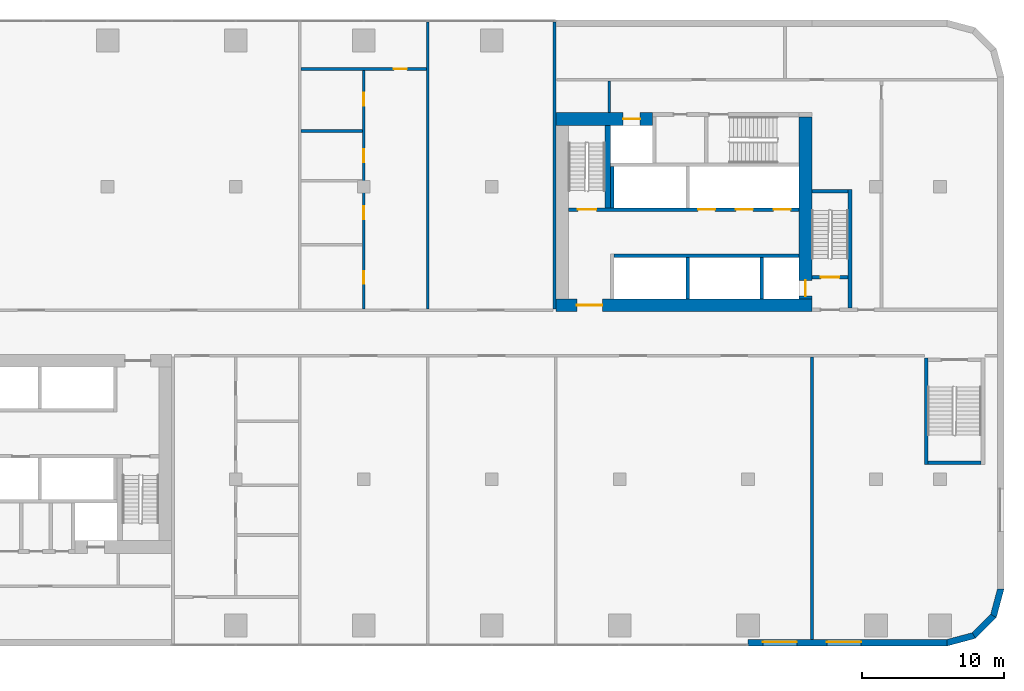
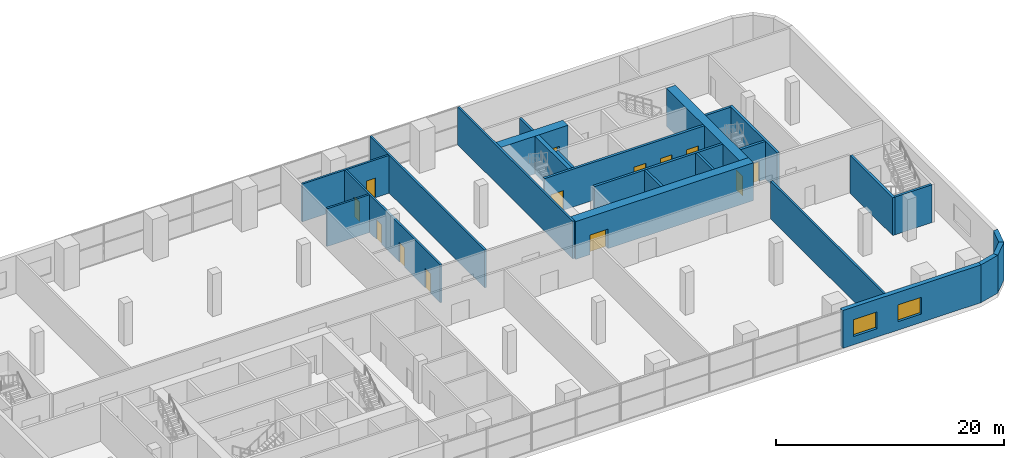
# One storey, part 10 of 19: 25 walls, 13 doors, 2 windows, 15 openings.
"""IFC4 building model written with IfcOpenShell, lengths in metres."""

from ifc_helpers import new_model, si_unit, direction, frame, frame_2d, origin, place, context, subcontext, project, spatial, polyline, rectangle, outline, extrude, material, layer, layer_set, type_object, element, fill, save


model = new_model("IFC4")

# Units and contexts
model_context = context("Model", 3, precision=1e-05, world=origin(), true_north=direction((0.0, 1.0)))
body_context = subcontext(model_context, "Body", "Model", "MODEL_VIEW")
ifc_project = project(units=[si_unit("LENGTHUNIT", "METRE"), si_unit("AREAUNIT", "SQUARE_METRE"), si_unit("VOLUMEUNIT", "CUBIC_METRE"), si_unit("PLANEANGLEUNIT", "RADIAN"), si_unit("MASSUNIT", "GRAM", prefix="KILO")], contexts=[model_context])

# Site, building, storey
site_placement = place(None, origin())
site = spatial("IfcSite", under=ifc_project, at=site_placement, CompositionType="ELEMENT")
building_placement = place(site_placement, origin())
building = spatial("IfcBuilding", under=site, at=building_placement, Name="Kajstack Hotel Tower", CompositionType="ELEMENT")
storey_placement = place(building_placement, frame((0.0, 0.0, 33.5)))
storey = spatial("IfcBuildingStorey", under=building, at=storey_placement, Name="L05", CompositionType="ELEMENT", Elevation=33.5)

# Wall, opening, door
ifc_material_1 = material(Name="Concrete C60/75", Category="concrete")
ifc_layer_1 = layer(ifc_material_1, 0.89990234375)
ifc_layer_set_1 = layer_set([ifc_layer_1], Name="Core wall 900")
wall_type_1 = type_object("IfcWallType", Name="Core wall 900", PredefinedType="SHEAR", material=ifc_layer_set_1)
wall_1_placement = place(storey_placement, frame((13.5, 1.949951171875, 0.0), z_axis=(0.0, 0.0, 1.0), x_axis=(1.0, 0.0, 0.0)))
wall_1 = element("IfcWall", 1, at=wall_1_placement, inside=storey, type_object=wall_type_1, Name="Core wall E RN", PredefinedType="SHEAR", context=body_context, shape_type="SweptSolid", body=[
    extrude(rectangle(XDim=18.0, YDim=0.89990234375, at=frame_2d((9.0, 0.0))), origin(), (0.0, 0.0, 1.0), 4.050048828125),
])
opening_1_placement = place(wall_1_placement, frame((1.47509765625, 0.0, 0.0)))
opening_1 = element("IfcOpeningElement", 2, at=opening_1_placement, cuts=wall_1, Name="Opening 05E06", PredefinedType="OPENING", context=body_context, shape_type="SweptSolid", body=[
    extrude(rectangle(XDim=1.800048828125, YDim=2.10009765625, at=frame_2d((0.89990234375, 1.050048828125))), frame((0.0, 0.4599609375, 0.0), z_axis=(0.0, -1.0, 0.0), x_axis=(1.0, 0.0, 0.0)), (0.0, 0.0, 1.0), 0.919921875),
])
ifc_material_2 = material(Name="Glazed steel frame, fire-rated glass", Category="steel")
door_type_1 = type_object("IfcDoorType", Name="Lobby double door 1800", OperationType="DOUBLE_DOOR_DOUBLE_SWING", PredefinedType="DOOR", material=ifc_material_2)
door_1_placement = place(opening_1_placement, origin())
door_1 = element("IfcDoor", 3, at=door_1_placement, inside=storey, type_object=door_type_1, Name="Door 05E06", OperationType="DOUBLE_DOOR_DOUBLE_SWING", OverallHeight=2.10009765625, OverallWidth=1.800048828125, PredefinedType="DOOR", context=body_context, shape_type="SweptSolid", body=[
    extrude(rectangle(XDim=1.800048828125, YDim=2.10009765625, at=frame_2d((0.89990234375, 1.050048828125))), frame((0.0, 0.02490234375, 0.0), z_axis=(0.0, -1.0, 0.0), x_axis=(1.0, 0.0, 0.0)), (0.0, 0.0, 1.0), 0.050048828125),
])
fill(opening_1, door_1)

wall_2_placement = place(storey_placement, frame((13.5, 15.050048828125, 0.0), z_axis=(0.0, 0.0, 1.0), x_axis=(1.0, 0.0, 0.0)))
wall_2 = element("IfcWall", 4, at=wall_2_placement, inside=storey, type_object=wall_type_1, Name="Core wall E RS", PredefinedType="SHEAR", context=body_context, shape_type="SweptSolid", body=[
    extrude(rectangle(XDim=6.800048828125, YDim=0.89990234375, at=frame_2d((3.39990234375, 0.0))), origin(), (0.0, 0.0, 1.0), 4.050048828125),
])
opening_2_placement = place(wall_2_placement, frame((4.72509765625, 0.0, 0.0)))
opening_2 = element("IfcOpeningElement", 5, at=opening_2_placement, cuts=wall_2, Name="Opening LD-SV2", PredefinedType="OPENING", context=body_context, shape_type="SweptSolid", body=[
    extrude(rectangle(XDim=1.199951171875, YDim=2.10009765625, at=frame_2d((0.60009765625, 1.050048828125))), frame((0.0, 0.4599609375, 0.0), z_axis=(0.0, -1.0, 0.0), x_axis=(1.0, 0.0, 0.0)), (0.0, 0.0, 1.0), 0.919921875),
])
ifc_material_3 = material(Name="Stainless steel", Category="steel")
door_type_2 = type_object("IfcDoorType", Name="Lift landing door 1200", OperationType="SLIDING_TO_LEFT", PredefinedType="DOOR", material=ifc_material_3)
door_2_placement = place(opening_2_placement, origin())
door_2 = element("IfcDoor", 6, at=door_2_placement, inside=storey, type_object=door_type_2, Name="Landing door SV2", OperationType="SLIDING_TO_LEFT", OverallHeight=2.10009765625, OverallWidth=1.199951171875, PredefinedType="DOOR", context=body_context, shape_type="SweptSolid", body=[
    extrude(rectangle(XDim=1.199951171875, YDim=2.10009765625, at=frame_2d((0.60009765625, 1.050048828125))), frame((0.0, 0.02490234375, 0.0), z_axis=(0.0, -1.0, 0.0), x_axis=(1.0, 0.0, 0.0)), (0.0, 0.0, 1.0), 0.050048828125),
])
fill(opening_2, door_2)

wall_3_placement = place(storey_placement, frame((31.050048828125, 2.39990234375, 0.0), z_axis=(0.0, 0.0, 1.0), x_axis=(0.0, 1.0, 0.0)))
wall_3 = element("IfcWall", 7, at=wall_3_placement, inside=storey, type_object=wall_type_1, Name="Core wall E RW", PredefinedType="SHEAR", context=body_context, shape_type="SweptSolid", body=[
    extrude(rectangle(XDim=12.800048828125, YDim=0.89990234375, at=frame_2d((6.39990234375, 0.0))), origin(), (0.0, 0.0, 1.0), 4.050048828125),
])
opening_3_placement = place(wall_3_placement, frame((0.199951171875, 0.0, 0.0)))
opening_3 = element("IfcOpeningElement", 8, at=opening_3_placement, cuts=wall_3, Name="Opening LD-FF2", PredefinedType="OPENING", context=body_context, shape_type="SweptSolid", body=[
    extrude(rectangle(XDim=1.10009765625, YDim=2.10009765625, at=frame_2d((0.550048828125, 1.050048828125))), frame((0.0, 0.4599609375, 0.0), z_axis=(0.0, -1.0, 0.0), x_axis=(1.0, 0.0, 0.0)), (0.0, 0.0, 1.0), 0.919921875),
])
door_type_3 = type_object("IfcDoorType", Name="Fire-fighting lift landing door 1100", OperationType="SLIDING_TO_LEFT", PredefinedType="DOOR", material=ifc_material_3)
door_3_placement = place(opening_3_placement, origin())
door_3 = element("IfcDoor", 9, at=door_3_placement, inside=storey, type_object=door_type_3, Name="Landing door FF2", OperationType="SLIDING_TO_LEFT", OverallHeight=2.10009765625, OverallWidth=1.10009765625, PredefinedType="DOOR", context=body_context, shape_type="SweptSolid", body=[
    extrude(rectangle(XDim=1.10009765625, YDim=2.10009765625, at=frame_2d((0.550048828125, 1.050048828125))), frame((0.0, 0.02490234375, 0.0), z_axis=(0.0, -1.0, 0.0), x_axis=(1.0, 0.0, 0.0)), (0.0, 0.0, 1.0), 0.050048828125),
])
fill(opening_3, door_3)

# Wall, openings, windows
ifc_material_4 = material(Name="Terracotta-faced brick masonry", Category="masonry")
ifc_layer_2 = layer(ifc_material_4, 0.449951171875)
ifc_layer_set_2 = layer_set([ifc_layer_2], Name="EW-TERRA")
wall_type_2 = type_object("IfcWallType", Name="EW-TERRA", PredefinedType="SOLIDWALL", material=ifc_layer_set_2)
wall_4_placement = place(storey_placement, frame((27.0, -21.77490234375, 0.0), z_axis=(0.0, 0.0, 1.0), x_axis=(1.0, 0.0, 0.0)))
wall_4 = element("IfcWall", 10, at=wall_4_placement, inside=storey, type_object=wall_type_2, Name="E-wall-L05-03-03", PredefinedType="SOLIDWALL", context=body_context, shape_type="SweptSolid", body=[
    extrude(rectangle(XDim=14.0, YDim=0.449951171875, at=frame_2d((7.0, 0.0))), origin(), (0.0, 0.0, 1.0), 4.050048828125),
])
opening_4_placement = place(wall_4_placement, frame((1.050048828125, 0.0, 0.89990234375)))
opening_4 = element("IfcOpeningElement", 11, at=opening_4_placement, cuts=wall_4, Name="Opening W4", PredefinedType="OPENING", context=body_context, shape_type="SweptSolid", body=[
    extrude(rectangle(XDim=2.39990234375, YDim=1.800048828125, at=frame_2d((1.199951171875, 0.89990234375))), frame((0.0, 0.23486328125, 0.0), z_axis=(0.0, -1.0, 0.0), x_axis=(1.0, 0.0, 0.0)), (0.0, 0.0, 1.0), 0.469970703125),
])
opening_5_placement = place(wall_4_placement, frame((5.550048828125, 0.0, 0.89990234375)))
opening_5 = element("IfcOpeningElement", 12, at=opening_5_placement, cuts=wall_4, Name="Opening W4", PredefinedType="OPENING", context=body_context, shape_type="SweptSolid", body=[
    extrude(rectangle(XDim=2.39990234375, YDim=1.800048828125, at=frame_2d((1.199951171875, 0.89990234375))), frame((0.0, 0.23486328125, 0.0), z_axis=(0.0, -1.0, 0.0), x_axis=(1.0, 0.0, 0.0)), (0.0, 0.0, 1.0), 0.469970703125),
])
ifc_material_5 = material(Name="Timber-aluminium window, triple glazed", Category="wood")
window_type = type_object("IfcWindowType", Name="WP1", PartitioningType="SINGLE_PANEL", PredefinedType="WINDOW", material=ifc_material_5)
window_1_placement = place(opening_4_placement, origin())
window_1 = element("IfcWindow", 13, at=window_1_placement, inside=storey, type_object=window_type, Name="Window W4 L05-03", OverallHeight=1.800048828125, OverallWidth=2.39990234375, PartitioningType="SINGLE_PANEL", PredefinedType="WINDOW", context=body_context, shape_type="SweptSolid", body=[
    extrude(rectangle(XDim=2.39990234375, YDim=1.800048828125, at=frame_2d((1.199951171875, 0.89990234375))), frame((0.0, 0.090087890625, 0.0), z_axis=(0.0, -1.0, 0.0), x_axis=(1.0, 0.0, 0.0)), (0.0, 0.0, 1.0), 0.06005859375),
])
fill(opening_4, window_1)
window_2_placement = place(opening_5_placement, origin())
window_2 = element("IfcWindow", 14, at=window_2_placement, inside=storey, type_object=window_type, Name="Window W4 L05-03", OverallHeight=1.800048828125, OverallWidth=2.39990234375, PartitioningType="SINGLE_PANEL", PredefinedType="WINDOW", context=body_context, shape_type="SweptSolid", body=[
    extrude(rectangle(XDim=2.39990234375, YDim=1.800048828125, at=frame_2d((1.199951171875, 0.89990234375))), frame((0.0, 0.090087890625, 0.0), z_axis=(0.0, -1.0, 0.0), x_axis=(1.0, 0.0, 0.0)), (0.0, 0.0, 1.0), 0.06005859375),
])
fill(opening_5, window_2)

# Walls
wall_5_placement = place(storey_placement, frame((40.941650390625, -21.78271484375, 0.0), z_axis=(0.0, 0.0, 1.0), x_axis=(0.965926999034, 0.25881466832, 0.0)))
element("IfcWall", 15, at=wall_5_placement, inside=storey, type_object=wall_type_2, Name="E-wall-L05-04-00", PredefinedType="SOLIDWALL", context=body_context, shape_type="SweptSolid", body=[
    extrude(outline(polyline([(0.000244140625, -0.22509765625), (2.070556640625, -0.224853515625), (1.9501953125, 0.22509765625), (0.12060546875, 0.22509765625), (0.000244140625, -0.22509765625)])), origin(), (0.0, 0.0, 1.0), 4.050048828125),
])
wall_6_placement = place(storey_placement, frame((42.8408203125, -21.304931640625, 0.0), z_axis=(0.0, 0.0, 1.0), x_axis=(0.707106781187, 0.707106781187, 0.0)))
element("IfcWall", 16, at=wall_6_placement, inside=storey, type_object=wall_type_2, Name="E-wall-L05-05-00", PredefinedType="SOLIDWALL", context=body_context, shape_type="SweptSolid", body=[
    extrude(outline(polyline([(0.0, -0.22509765625), (2.070556640625, -0.22509765625), (1.949951171875, 0.224853515625), (0.12060546875, 0.224853515625), (0.0, -0.22509765625)])), origin(), (0.0, 0.0, 1.0), 4.050048828125),
])
wall_7_placement = place(storey_placement, frame((44.246826171875, -19.941650390625, 0.0), z_axis=(0.0, 0.0, 1.0), x_axis=(0.25881466832, 0.965926999034, 0.0)))
element("IfcWall", 17, at=wall_7_placement, inside=storey, type_object=wall_type_2, Name="E-wall-L05-06-00", PredefinedType="SOLIDWALL", context=body_context, shape_type="SweptSolid", body=[
    extrude(outline(polyline([(-0.000244140625, -0.224853515625), (2.0703125, -0.22509765625), (1.949951171875, 0.22509765625), (0.120361328125, 0.22509765625), (-0.000244140625, -0.224853515625)])), origin(), (0.0, 0.0, 1.0), 4.050048828125),
])
ifc_material_6 = material(Name="Concrete C50/60", Category="concrete")
ifc_layer_3 = layer(ifc_material_6, 0.300048828125)
ifc_layer_set_3 = layer_set([ifc_layer_3], Name="Hoistway divider wall 300")
wall_type_3 = type_object("IfcWallType", Name="Hoistway divider wall 300", PredefinedType="SHEAR", material=ifc_layer_set_3)
wall_8_placement = place(storey_placement, frame((22.77490234375, 2.39990234375, 0.0), z_axis=(0.0, 0.0, 1.0), x_axis=(0.0, 1.0, 0.0)))
element("IfcWall", 18, at=wall_8_placement, inside=storey, type_object=wall_type_3, Name="Core wall E AP2", PredefinedType="SHEAR", context=body_context, shape_type="SweptSolid", body=[
    extrude(rectangle(XDim=2.900146484375, YDim=0.25, at=frame_2d((1.4501953125, 0.0))), origin(), (0.0, 0.0, 1.0), 4.050048828125),
])
ifc_material_7 = material(Name="Gypsum board on steel studs, mineral wool", Category="steel")
ifc_layer_4 = layer(ifc_material_7, 0.199951171875)
ifc_layer_set_4 = layer_set([ifc_layer_4], Name="Public partition 200")
wall_type_4 = type_object("IfcWallType", Name="Public partition 200", PredefinedType="PARTITIONING", material=ifc_layer_set_4)
wall_9_placement = place(storey_placement, frame((4.5, 1.699951171875, 0.0), z_axis=(0.0, 0.0, 1.0), x_axis=(0.0, 1.0, 0.0)))
element("IfcWall", 19, at=wall_9_placement, inside=storey, type_object=wall_type_4, Name="Partition PX0", PredefinedType="PARTITIONING", context=body_context, shape_type="SweptSolid", body=[
    extrude(rectangle(XDim=20.150146484375, YDim=0.199951171875, at=frame_2d((10.0751953125, 0.0))), origin(), (0.0, 0.0, 1.0), 4.050048828125),
])

# Wall, openings, doors
wall_10_placement = place(storey_placement, frame((0.0, 1.699951171875, 0.0), z_axis=(0.0, 0.0, 1.0), x_axis=(0.0, 1.0, 0.0)))
wall_10 = element("IfcWall", 20, at=wall_10_placement, inside=storey, type_object=wall_type_4, Name="Partition C1CW", PredefinedType="PARTITIONING", context=body_context, shape_type="SweptSolid", body=[
    extrude(rectangle(XDim=16.75, YDim=0.199951171875, at=frame_2d((8.375, 0.0))), origin(), (0.0, 0.0, 1.0), 4.050048828125),
])
opening_6_placement = place(wall_10_placement, frame((1.75, 0.0, 0.0)))
opening_6 = element("IfcOpeningElement", 21, at=opening_6_placement, cuts=wall_10, Name="Opening 05P03", PredefinedType="OPENING", context=body_context, shape_type="SweptSolid", body=[
    extrude(rectangle(XDim=0.89990234375, YDim=2.10009765625, at=frame_2d((0.449951171875, 1.050048828125))), frame((0.0, 0.10986328125, 0.0), z_axis=(0.0, -1.0, 0.0), x_axis=(1.0, 0.0, 0.0)), (0.0, 0.0, 1.0), 0.219970703125),
])
opening_7_placement = place(wall_10_placement, frame((6.300048828125, 0.0, 0.0)))
opening_7 = element("IfcOpeningElement", 22, at=opening_7_placement, cuts=wall_10, Name="Opening 05P04", PredefinedType="OPENING", context=body_context, shape_type="SweptSolid", body=[
    extrude(rectangle(XDim=0.89990234375, YDim=2.10009765625, at=frame_2d((0.449951171875, 1.050048828125))), frame((0.0, 0.10986328125, 0.0), z_axis=(0.0, -1.0, 0.0), x_axis=(1.0, 0.0, 0.0)), (0.0, 0.0, 1.0), 0.219970703125),
])
opening_8_placement = place(wall_10_placement, frame((10.300048828125, 0.0, 0.0)))
opening_8 = element("IfcOpeningElement", 23, at=opening_8_placement, cuts=wall_10, Name="Opening 05P05", PredefinedType="OPENING", context=body_context, shape_type="SweptSolid", body=[
    extrude(rectangle(XDim=0.89990234375, YDim=2.10009765625, at=frame_2d((0.449951171875, 1.050048828125))), frame((0.0, 0.10986328125, 0.0), z_axis=(0.0, -1.0, 0.0), x_axis=(1.0, 0.0, 0.0)), (0.0, 0.0, 1.0), 0.219970703125),
])
opening_9_placement = place(wall_10_placement, frame((14.27490234375, 0.0, 0.0)))
opening_9 = element("IfcOpeningElement", 24, at=opening_9_placement, cuts=wall_10, Name="Opening 05P06", PredefinedType="OPENING", context=body_context, shape_type="SweptSolid", body=[
    extrude(rectangle(XDim=0.89990234375, YDim=2.10009765625, at=frame_2d((0.449951171875, 1.050048828125))), frame((0.0, 0.10986328125, 0.0), z_axis=(0.0, -1.0, 0.0), x_axis=(1.0, 0.0, 0.0)), (0.0, 0.0, 1.0), 0.219970703125),
])
ifc_material_8 = material(Name="Timber leaf", Category="wood")
door_type_4 = type_object("IfcDoorType", Name="Public room door 900", OperationType="SINGLE_SWING_LEFT", PredefinedType="DOOR", material=ifc_material_8)
door_4_placement = place(opening_6_placement, origin())
door_4 = element("IfcDoor", 25, at=door_4_placement, inside=storey, type_object=door_type_4, Name="Door 05P03", OperationType="SINGLE_SWING_LEFT", OverallHeight=2.10009765625, OverallWidth=0.89990234375, PredefinedType="DOOR", context=body_context, shape_type="SweptSolid", body=[
    extrude(rectangle(XDim=0.89990234375, YDim=2.10009765625, at=frame_2d((0.449951171875, 1.050048828125))), frame((0.0, 0.02490234375, 0.0), z_axis=(0.0, -1.0, 0.0), x_axis=(1.0, 0.0, 0.0)), (0.0, 0.0, 1.0), 0.050048828125),
])
fill(opening_6, door_4)
door_5_placement = place(opening_7_placement, origin())
door_5 = element("IfcDoor", 26, at=door_5_placement, inside=storey, type_object=door_type_4, Name="Door 05P04", OperationType="SINGLE_SWING_LEFT", OverallHeight=2.10009765625, OverallWidth=0.89990234375, PredefinedType="DOOR", context=body_context, shape_type="SweptSolid", body=[
    extrude(rectangle(XDim=0.89990234375, YDim=2.10009765625, at=frame_2d((0.449951171875, 1.050048828125))), frame((0.0, 0.02490234375, 0.0), z_axis=(0.0, -1.0, 0.0), x_axis=(1.0, 0.0, 0.0)), (0.0, 0.0, 1.0), 0.050048828125),
])
fill(opening_7, door_5)
door_6_placement = place(opening_8_placement, origin())
door_6 = element("IfcDoor", 27, at=door_6_placement, inside=storey, type_object=door_type_4, Name="Door 05P05", OperationType="SINGLE_SWING_LEFT", OverallHeight=2.10009765625, OverallWidth=0.89990234375, PredefinedType="DOOR", context=body_context, shape_type="SweptSolid", body=[
    extrude(rectangle(XDim=0.89990234375, YDim=2.10009765625, at=frame_2d((0.449951171875, 1.050048828125))), frame((0.0, 0.02490234375, 0.0), z_axis=(0.0, -1.0, 0.0), x_axis=(1.0, 0.0, 0.0)), (0.0, 0.0, 1.0), 0.050048828125),
])
fill(opening_8, door_6)
door_7_placement = place(opening_9_placement, origin())
door_7 = element("IfcDoor", 28, at=door_7_placement, inside=storey, type_object=door_type_4, Name="Door 05P06", OperationType="SINGLE_SWING_LEFT", OverallHeight=2.10009765625, OverallWidth=0.89990234375, PredefinedType="DOOR", context=body_context, shape_type="SweptSolid", body=[
    extrude(rectangle(XDim=0.89990234375, YDim=2.10009765625, at=frame_2d((0.449951171875, 1.050048828125))), frame((0.0, 0.02490234375, 0.0), z_axis=(0.0, -1.0, 0.0), x_axis=(1.0, 0.0, 0.0)), (0.0, 0.0, 1.0), 0.050048828125),
])
fill(opening_9, door_7)

# Wall
wall_11_placement = place(storey_placement, frame((-4.39990234375, 14.199951171875, 0.0), z_axis=(0.0, 0.0, 1.0), x_axis=(1.0, 0.0, 0.0)))
element("IfcWall", 29, at=wall_11_placement, inside=storey, type_object=wall_type_4, Name="Partition C1wP2", PredefinedType="PARTITIONING", context=body_context, shape_type="SweptSolid", body=[
    extrude(rectangle(XDim=4.2998046875, YDim=0.199951171875, at=frame_2d((2.14990234375, 0.0))), origin(), (0.0, 0.0, 1.0), 4.050048828125),
])

# Wall, opening, door
wall_12_placement = place(storey_placement, frame((-4.39990234375, 18.550048828125, 0.0), z_axis=(0.0, 0.0, 1.0), x_axis=(1.0, 0.0, 0.0)))
wall_12 = element("IfcWall", 30, at=wall_12_placement, inside=storey, type_object=wall_type_4, Name="Partition C1BW", PredefinedType="PARTITIONING", context=body_context, shape_type="SweptSolid", body=[
    extrude(rectangle(XDim=8.7998046875, YDim=0.199951171875, at=frame_2d((4.39990234375, 0.0))), origin(), (0.0, 0.0, 1.0), 4.050048828125),
])
opening_10_placement = place(wall_12_placement, frame((6.52490234375, 0.0, 0.0)))
opening_10 = element("IfcOpeningElement", 31, at=opening_10_placement, cuts=wall_12, Name="Opening 05P07", PredefinedType="OPENING", context=body_context, shape_type="SweptSolid", body=[
    extrude(rectangle(XDim=0.89990234375, YDim=2.10009765625, at=frame_2d((0.449951171875, 1.050048828125))), frame((0.0, 0.10986328125, 0.0), z_axis=(0.0, -1.0, 0.0), x_axis=(1.0, 0.0, 0.0)), (0.0, 0.0, 1.0), 0.219970703125),
])
door_8_placement = place(opening_10_placement, origin())
door_8 = element("IfcDoor", 32, at=door_8_placement, inside=storey, type_object=door_type_4, Name="Door 05P07", OperationType="SINGLE_SWING_LEFT", OverallHeight=2.10009765625, OverallWidth=0.89990234375, PredefinedType="DOOR", context=body_context, shape_type="SweptSolid", body=[
    extrude(rectangle(XDim=0.89990234375, YDim=2.10009765625, at=frame_2d((0.449951171875, 1.050048828125))), frame((0.0, 0.02490234375, 0.0), z_axis=(0.0, -1.0, 0.0), x_axis=(1.0, 0.0, 0.0)), (0.0, 0.0, 1.0), 0.050048828125),
])
fill(opening_10, door_8)

# Walls
wall_13_placement = place(storey_placement, frame((13.39990234375, 1.699951171875, 0.0), z_axis=(0.0, 0.0, 1.0), x_axis=(0.0, 1.0, 0.0)))
element("IfcWall", 33, at=wall_13_placement, inside=storey, type_object=wall_type_4, Name="Partition EW", PredefinedType="PARTITIONING", context=body_context, shape_type="SweptSolid", body=[
    extrude(rectangle(XDim=20.150146484375, YDim=0.199951171875, at=frame_2d((10.0751953125, 0.0))), origin(), (0.0, 0.0, 1.0), 4.050048828125),
])
wall_14_placement = place(storey_placement, frame((31.5, -21.550048828125, 0.0), z_axis=(0.0, 0.0, 1.0), x_axis=(0.0, 1.0, 0.0)))
element("IfcWall", 34, at=wall_14_placement, inside=storey, type_object=wall_type_4, Name="Partition SPX3", PredefinedType="PARTITIONING", context=body_context, shape_type="SweptSolid", body=[
    extrude(rectangle(XDim=19.85009765625, YDim=0.199951171875, at=frame_2d((9.925048828125, 0.0))), origin(), (0.0, 0.0, 1.0), 4.050048828125),
])
ifc_layer_5 = layer(ifc_material_7, 0.199951171875)
ifc_layer_set_5 = layer_set([ifc_layer_5], Name="Service partition 200")
wall_type_5 = type_object("IfcWallType", Name="Service partition 200", PredefinedType="PARTITIONING", material=ifc_layer_set_5)
wall_15_placement = place(storey_placement, frame((17.25, 15.5, 0.0), z_axis=(0.0, 0.0, 1.0), x_axis=(0.0, 1.0, 0.0)))
element("IfcWall", 35, at=wall_15_placement, inside=storey, type_object=wall_type_5, Name="Partition E SCE", PredefinedType="PARTITIONING", context=body_context, shape_type="SweptSolid", body=[
    extrude(rectangle(XDim=2.199951171875, YDim=0.199951171875, at=frame_2d((1.10009765625, 0.0))), origin(), (0.0, 0.0, 1.0), 4.050048828125),
])
ifc_layer_6 = layer(ifc_material_6, 0.25)
ifc_layer_set_6 = layer_set([ifc_layer_6], Name="Shaft wall 250")
wall_type_6 = type_object("IfcWallType", Name="Shaft wall 250", PredefinedType="SHEAR", material=ifc_layer_set_6)
wall_16_placement = place(storey_placement, frame((17.60009765625, 5.425048828125, 0.0), z_axis=(0.0, 0.0, 1.0), x_axis=(1.0, 0.0, 0.0)))
element("IfcWall", 36, at=wall_16_placement, inside=storey, type_object=wall_type_6, Name="Core wall E FA", PredefinedType="SHEAR", context=body_context, shape_type="SweptSolid", body=[
    extrude(rectangle(XDim=13.0, YDim=0.25, at=frame_2d((6.5, 0.0))), origin(), (0.0, 0.0, 1.0), 4.050048828125),
])
wall_17_placement = place(storey_placement, frame((27.97509765625, 2.39990234375, 0.0), z_axis=(0.0, 0.0, 1.0), x_axis=(0.0, 1.0, 0.0)))
element("IfcWall", 37, at=wall_17_placement, inside=storey, type_object=wall_type_6, Name="Core wall E AP0", PredefinedType="SHEAR", context=body_context, shape_type="SweptSolid", body=[
    extrude(rectangle(XDim=2.900146484375, YDim=0.25, at=frame_2d((1.4501953125, 0.0))), origin(), (0.0, 0.0, 1.0), 4.050048828125),
])

# Wall, openings, doors
wall_18_placement = place(storey_placement, frame((14.39990234375, 8.675048828125, 0.0), z_axis=(0.0, 0.0, 1.0), x_axis=(1.0, 0.0, 0.0)))
wall_18 = element("IfcWall", 38, at=wall_18_placement, inside=storey, type_object=wall_type_6, Name="Core wall E FB", PredefinedType="SHEAR", context=body_context, shape_type="SweptSolid", body=[
    extrude(rectangle(XDim=16.2001953125, YDim=0.25, at=frame_2d((8.10009765625, 0.0))), origin(), (0.0, 0.0, 1.0), 4.050048828125),
])
opening_11_placement = place(wall_18_placement, frame((14.39990234375, 0.0, 0.0)))
opening_11 = element("IfcOpeningElement", 39, at=opening_11_placement, cuts=wall_18, Name="Opening LD-LR4", PredefinedType="OPENING", context=body_context, shape_type="SweptSolid", body=[
    extrude(rectangle(XDim=1.199951171875, YDim=2.10009765625, at=frame_2d((0.60009765625, 1.050048828125))), frame((0.0, 0.135009765625, 0.0), z_axis=(0.0, -1.0, 0.0), x_axis=(1.0, 0.0, 0.0)), (0.0, 0.0, 1.0), 0.27001953125),
])
opening_12_placement = place(wall_18_placement, frame((11.75, 0.0, 0.0)))
opening_12 = element("IfcOpeningElement", 40, at=opening_12_placement, cuts=wall_18, Name="Opening LD-LR5", PredefinedType="OPENING", context=body_context, shape_type="SweptSolid", body=[
    extrude(rectangle(XDim=1.199951171875, YDim=2.10009765625, at=frame_2d((0.60009765625, 1.050048828125))), frame((0.0, 0.135009765625, 0.0), z_axis=(0.0, -1.0, 0.0), x_axis=(1.0, 0.0, 0.0)), (0.0, 0.0, 1.0), 0.27001953125),
])
opening_13_placement = place(wall_18_placement, frame((9.10009765625, 0.0, 0.0)))
opening_13 = element("IfcOpeningElement", 41, at=opening_13_placement, cuts=wall_18, Name="Opening LD-LR6", PredefinedType="OPENING", context=body_context, shape_type="SweptSolid", body=[
    extrude(rectangle(XDim=1.199951171875, YDim=2.10009765625, at=frame_2d((0.60009765625, 1.050048828125))), frame((0.0, 0.135009765625, 0.0), z_axis=(0.0, -1.0, 0.0), x_axis=(1.0, 0.0, 0.0)), (0.0, 0.0, 1.0), 0.27001953125),
])
opening_14_placement = place(wall_18_placement, frame((0.64990234375, 0.0, 0.0)))
opening_14 = element("IfcOpeningElement", 42, at=opening_14_placement, cuts=wall_18, Name="Opening 05E10", PredefinedType="OPENING", context=body_context, shape_type="SweptSolid", body=[
    extrude(rectangle(XDim=1.300048828125, YDim=2.10009765625, at=frame_2d((0.64990234375, 1.050048828125))), frame((0.0, 0.135009765625, 0.0), z_axis=(0.0, -1.0, 0.0), x_axis=(1.0, 0.0, 0.0)), (0.0, 0.0, 1.0), 0.27001953125),
])
door_9_placement = place(opening_11_placement, origin())
door_9 = element("IfcDoor", 43, at=door_9_placement, inside=storey, type_object=door_type_2, Name="Landing door LR4", OperationType="SLIDING_TO_LEFT", OverallHeight=2.10009765625, OverallWidth=1.199951171875, PredefinedType="DOOR", context=body_context, shape_type="SweptSolid", body=[
    extrude(rectangle(XDim=1.199951171875, YDim=2.10009765625, at=frame_2d((0.60009765625, 1.050048828125))), frame((0.0, 0.02490234375, 0.0), z_axis=(0.0, -1.0, 0.0), x_axis=(1.0, 0.0, 0.0)), (0.0, 0.0, 1.0), 0.050048828125),
])
fill(opening_11, door_9)
door_10_placement = place(opening_12_placement, origin())
door_10 = element("IfcDoor", 44, at=door_10_placement, inside=storey, type_object=door_type_2, Name="Landing door LR5", OperationType="SLIDING_TO_RIGHT", OverallHeight=2.10009765625, OverallWidth=1.199951171875, PredefinedType="DOOR", context=body_context, shape_type="SweptSolid", body=[
    extrude(rectangle(XDim=1.199951171875, YDim=2.10009765625, at=frame_2d((0.60009765625, 1.050048828125))), frame((0.0, 0.02490234375, 0.0), z_axis=(0.0, -1.0, 0.0), x_axis=(1.0, 0.0, 0.0)), (0.0, 0.0, 1.0), 0.050048828125),
])
fill(opening_12, door_10)
door_11_placement = place(opening_13_placement, origin())
door_11 = element("IfcDoor", 45, at=door_11_placement, inside=storey, type_object=door_type_2, Name="Landing door LR6", OperationType="SLIDING_TO_RIGHT", OverallHeight=2.10009765625, OverallWidth=1.199951171875, PredefinedType="DOOR", context=body_context, shape_type="SweptSolid", body=[
    extrude(rectangle(XDim=1.199951171875, YDim=2.10009765625, at=frame_2d((0.60009765625, 1.050048828125))), frame((0.0, 0.02490234375, 0.0), z_axis=(0.0, -1.0, 0.0), x_axis=(1.0, 0.0, 0.0)), (0.0, 0.0, 1.0), 0.050048828125),
])
fill(opening_13, door_11)
ifc_material_9 = material(Name="Steel leaf, fire-rated", Category="steel")
door_type_5 = type_object("IfcDoorType", Name="Stair door 1300", OperationType="SINGLE_SWING_LEFT", PredefinedType="DOOR", material=ifc_material_9)
door_12_placement = place(opening_14_placement, origin())
door_12 = element("IfcDoor", 46, at=door_12_placement, inside=storey, type_object=door_type_5, Name="Door 05E10", OperationType="SINGLE_SWING_LEFT", OverallHeight=2.10009765625, OverallWidth=1.300048828125, PredefinedType="DOOR", context=body_context, shape_type="SweptSolid", body=[
    extrude(rectangle(XDim=1.300048828125, YDim=2.10009765625, at=frame_2d((0.64990234375, 1.050048828125))), frame((0.0, 0.02490234375, 0.0), z_axis=(0.0, -1.0, 0.0), x_axis=(1.0, 0.0, 0.0)), (0.0, 0.0, 1.0), 0.050048828125),
])
fill(opening_14, door_12)

# Wall
wall_19_placement = place(storey_placement, frame((17.47509765625, 8.800048828125, 0.0), z_axis=(0.0, 0.0, 1.0), x_axis=(0.0, 1.0, 0.0)))
element("IfcWall", 47, at=wall_19_placement, inside=storey, type_object=wall_type_6, Name="Core wall E BE", PredefinedType="SHEAR", context=body_context, shape_type="SweptSolid", body=[
    extrude(rectangle(XDim=2.89990234375, YDim=0.25, at=frame_2d((1.449951171875, 0.0))), origin(), (0.0, 0.0, 1.0), 4.050048828125),
])

# Wall, opening, door
ifc_material_10 = material(Name="Concrete C40/50", Category="concrete")
ifc_layer_7 = layer(ifc_material_10, 0.25)
ifc_layer_set_7 = layer_set([ifc_layer_7], Name="Stair enclosure wall 250")
wall_type_7 = type_object("IfcWallType", Name="Stair enclosure wall 250", PredefinedType="SHEAR", material=ifc_layer_set_7)
wall_20_placement = place(storey_placement, frame((31.5, 3.925048828125, 0.0), z_axis=(0.0, 0.0, 1.0), x_axis=(1.0, 0.0, 0.0)))
wall_20 = element("IfcWall", 48, at=wall_20_placement, inside=storey, type_object=wall_type_7, Name="Core wall E W1N", PredefinedType="SHEAR", context=body_context, shape_type="SweptSolid", body=[
    extrude(rectangle(XDim=2.550048828125, YDim=0.25, at=frame_2d((1.27490234375, 0.0))), origin(), (0.0, 0.0, 1.0), 4.050048828125),
])
opening_15_placement = place(wall_20_placement, frame((0.625, 0.0, 0.0)))
opening_15 = element("IfcOpeningElement", 49, at=opening_15_placement, cuts=wall_20, Name="Opening 05E08", PredefinedType="OPENING", context=body_context, shape_type="SweptSolid", body=[
    extrude(rectangle(XDim=1.300048828125, YDim=2.10009765625, at=frame_2d((0.64990234375, 1.050048828125))), frame((0.0, 0.135009765625, 0.0), z_axis=(0.0, -1.0, 0.0), x_axis=(1.0, 0.0, 0.0)), (0.0, 0.0, 1.0), 0.27001953125),
])
door_13_placement = place(opening_15_placement, origin())
door_13 = element("IfcDoor", 50, at=door_13_placement, inside=storey, type_object=door_type_5, Name="Door 05E08", OperationType="SINGLE_SWING_LEFT", OverallHeight=2.10009765625, OverallWidth=1.300048828125, PredefinedType="DOOR", context=body_context, shape_type="SweptSolid", body=[
    extrude(rectangle(XDim=1.300048828125, YDim=2.10009765625, at=frame_2d((0.64990234375, 1.050048828125))), frame((0.0, 0.02490234375, 0.0), z_axis=(0.0, -1.0, 0.0), x_axis=(1.0, 0.0, 0.0)), (0.0, 0.0, 1.0), 0.050048828125),
])
fill(opening_15, door_13)

# Walls
wall_21_placement = place(storey_placement, frame((34.175048828125, 1.75, 0.0), z_axis=(0.0, 0.0, 1.0), x_axis=(0.0, 1.0, 0.0)))
element("IfcWall", 51, at=wall_21_placement, inside=storey, type_object=wall_type_7, Name="Core wall E W1W", PredefinedType="SHEAR", context=body_context, shape_type="SweptSolid", body=[
    extrude(rectangle(XDim=8.35009765625, YDim=0.25, at=frame_2d((4.175048828125, 0.0))), origin(), (0.0, 0.0, 1.0), 4.050048828125),
])
wall_22_placement = place(storey_placement, frame((31.5, 9.97509765625, 0.0), z_axis=(0.0, 0.0, 1.0), x_axis=(1.0, 0.0, 0.0)))
element("IfcWall", 52, at=wall_22_placement, inside=storey, type_object=wall_type_7, Name="Core wall E W1S", PredefinedType="SHEAR", context=body_context, shape_type="SweptSolid", body=[
    extrude(rectangle(XDim=2.550048828125, YDim=0.25, at=frame_2d((1.27490234375, 0.0))), origin(), (0.0, 0.0, 1.0), 4.050048828125),
])
wall_23_placement = place(storey_placement, frame((39.52490234375, -9.25, 0.0), z_axis=(0.0, 0.0, 1.0), x_axis=(0.0, 1.0, 0.0)))
element("IfcWall", 53, at=wall_23_placement, inside=storey, type_object=wall_type_7, Name="Stair wall P2 W", PredefinedType="SHEAR", context=body_context, shape_type="SweptSolid", body=[
    extrude(rectangle(XDim=7.5, YDim=0.25, at=frame_2d((3.75, 0.0))), origin(), (0.0, 0.0, 1.0), 4.050048828125),
])
wall_24_placement = place(storey_placement, frame((39.64990234375, -9.125, 0.0), z_axis=(0.0, 0.0, 1.0), x_axis=(1.0, 0.0, 0.0)))
element("IfcWall", 54, at=wall_24_placement, inside=storey, type_object=wall_type_7, Name="Stair wall P2 F", PredefinedType="SHEAR", context=body_context, shape_type="SweptSolid", body=[
    extrude(rectangle(XDim=3.75, YDim=0.25, at=frame_2d((1.875, 0.0))), origin(), (0.0, 0.0, 1.0), 4.050048828125),
])
ifc_layer_8 = layer(ifc_material_6, 0.39990234375)
ifc_layer_set_8 = layer_set([ifc_layer_8], Name="Stair wall 400")
wall_type_8 = type_object("IfcWallType", Name="Stair wall 400", PredefinedType="SHEAR", material=ifc_layer_set_8)
wall_25_placement = place(storey_placement, frame((17.14990234375, 8.800048828125, 0.0), z_axis=(0.0, 0.0, 1.0), x_axis=(0.0, 1.0, 0.0)))
element("IfcWall", 55, at=wall_25_placement, inside=storey, type_object=wall_type_8, Name="Core wall E WW2", PredefinedType="SHEAR", context=body_context, shape_type="SweptSolid", body=[
    extrude(rectangle(XDim=5.800048828125, YDim=0.39990234375, at=frame_2d((2.89990234375, 0.0))), origin(), (0.0, 0.0, 1.0), 4.050048828125),
])

save(model, "model.ifc")
